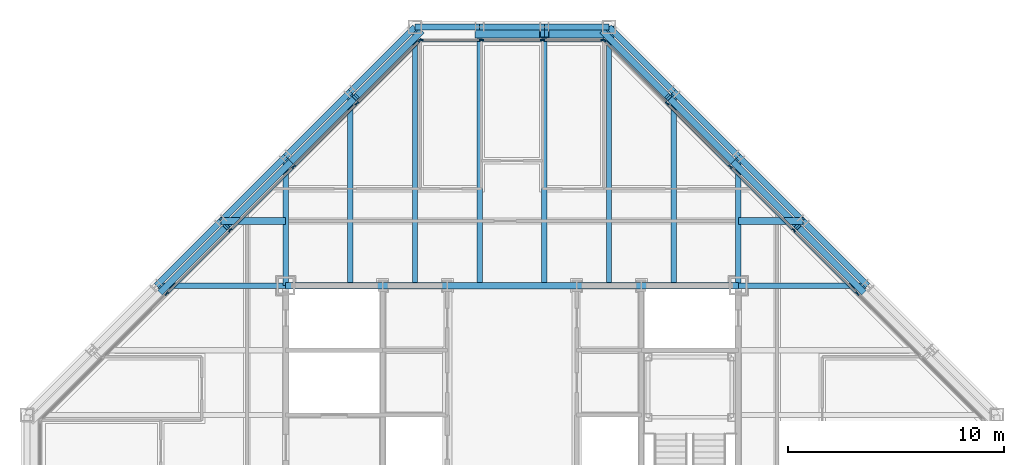
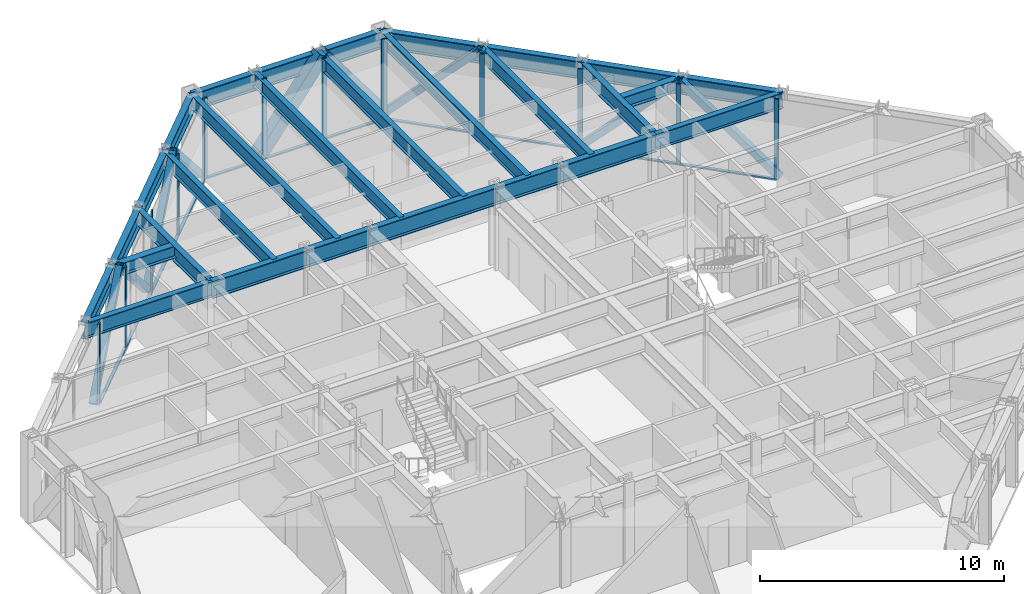
# One storey, part 8 of 15: 35 members, 28 beams, 3 elements without a shape of their own.
"""IFC4 building model written with IfcOpenShell, lengths in metres."""

import ifcopenshell
import ifcopenshell.guid

model = None  # the IFC model being written
_history = None  # IfcOwnerHistory: only IFC2X3 demands one
_inside = {}  # id of a spatial element -> (the spatial element, [elements in it])
_under = {}  # id of a project, library or spatial element -> (it, [spatial elements below it])
_declared = {}  # id of a project -> (the project, [libraries it declares])
_typed = {}  # id of a type object -> (the type object, [elements of that type])
_made_of = {}  # id of a material, layer set ... -> (it, [elements and type objects made of it])


def new_model(schema):
    """Start an empty IFC model of exactly this schema.

    Asked for "IFC4X3", IfcOpenShell would pick the latest addendum, in which some entities
    have other attributes; the version numbers below select the first issue.
    IFC2X3 requires an IfcOwnerHistory on every rooted entity: one is made here for all.
    """
    global model, _history
    if schema == "IFC4X3":
        model = ifcopenshell.file(schema_version=(4, 3, 0, 0))
    else:
        model = ifcopenshell.file(schema=schema)
    _inside.clear()
    _under.clear()
    _declared.clear()
    _typed.clear()
    _made_of.clear()
    _history = None
    if model.schema == "IFC2X3":
        org = make("IfcOrganization", Name="unknown")
        user = make(
            "IfcPersonAndOrganization",
            ThePerson=make("IfcPerson", FamilyName="unknown"),
            TheOrganization=org,
        )
        app = make(
            "IfcApplication",
            ApplicationDeveloper=org,
            Version="unknown",
            ApplicationFullName="unknown",
            ApplicationIdentifier="unknown",
        )
        _history = make(
            "IfcOwnerHistory",
            OwningUser=user,
            OwningApplication=app,
            ChangeAction="ADDED",
            CreationDate=0,
        )
    return model


def make(cls, **values):
    """One entity of the class cls with the attributes given. An attribute that is None is left unset."""
    return model.create_entity(
        cls, **{name: value for name, value in values.items() if value is not None}
    )


def rooted(cls, **values):
    """An entity with a GlobalId (a new one), such as an element, a storey or a relation."""
    return make(cls, GlobalId=ifcopenshell.guid.new(), OwnerHistory=_history, **values)


def si_unit(unit_type, name, prefix=None):
    """IfcSIUnit, for example si_unit("LENGTHUNIT", "METRE", prefix="MILLI")."""
    return make("IfcSIUnit", UnitType=unit_type, Prefix=prefix, Name=name)


def assignment(units):
    """IfcUnitAssignment: the units of a project."""
    return None if units is None else make("IfcUnitAssignment", Units=units)


def point(xyz):
    """IfcCartesianPoint."""
    return None if xyz is None else make("IfcCartesianPoint", Coordinates=xyz)


def direction(xyz):
    """IfcDirection."""
    return None if xyz is None else make("IfcDirection", DirectionRatios=xyz)


def frame(location, z_axis=None, x_axis=None):
    """IfcAxis2Placement3D, a coordinate frame: its origin and axes. An axis left out is left unset."""
    return make(
        "IfcAxis2Placement3D",
        Location=point(location),
        Axis=direction(z_axis),
        RefDirection=direction(x_axis),
    )


def frame_2d(location, x_axis=None):
    """IfcAxis2Placement2D, a coordinate frame in the plane: its origin and x axis."""
    return make(
        "IfcAxis2Placement2D", Location=point(location), RefDirection=direction(x_axis)
    )


def origin():
    """The frame at (0, 0, 0) with its axes left unset."""
    return frame((0.0, 0.0, 0.0))


def origin_2d():
    """The frame at (0, 0) in the plane with its x axis left unset."""
    return frame_2d((0.0, 0.0))


def place(relative_to, where):
    """IfcLocalPlacement: puts the frame where relative to a parent placement (None: the world)."""
    return make(
        "IfcLocalPlacement", PlacementRelTo=relative_to, RelativePlacement=where
    )


def context(
    kind, dimensions, precision=None, world=None, true_north=None, identifier=None
):
    """IfcGeometricRepresentationContext, for example the 3D "Model" context."""
    return make(
        "IfcGeometricRepresentationContext",
        ContextIdentifier=identifier,
        ContextType=kind,
        CoordinateSpaceDimension=dimensions,
        Precision=precision,
        WorldCoordinateSystem=world,
        TrueNorth=true_north,
    )


def subcontext(parent, identifier, kind, view, scale=None):
    """IfcGeometricRepresentationSubContext, for example "Body" below "Model"."""
    return make(
        "IfcGeometricRepresentationSubContext",
        ContextIdentifier=identifier,
        ContextType=kind,
        ParentContext=parent,
        TargetScale=scale,
        TargetView=view,
    )


def project(units=None, contexts=None):
    """IfcProject with its units and contexts."""
    return rooted(
        "IfcProject",
        Name="project",
        RepresentationContexts=contexts,
        UnitsInContext=assignment(units),
    )


def spatial(cls, under=None, at=None, **own):
    """A site, building, storey or space (cls), placed at a placement, below another one or the project."""
    s = rooted(cls, ObjectPlacement=at, **own)
    if under is not None:
        _under.setdefault(under.id(), (under, []))[1].append(s)
    return s


def profile(cls, at=None, kind="AREA", **sizes):
    """A parametric profile (cls). Its sizes go by their IFC names, for example OverallWidth=200.0."""
    return make(cls, ProfileType=kind, Position=at, **sizes)


def rectangle(**sizes):
    """IfcRectangleProfileDef."""
    return profile("IfcRectangleProfileDef", **sizes)


def hollow_rectangle(**sizes):
    """IfcRectangleHollowProfileDef."""
    return profile("IfcRectangleHollowProfileDef", **sizes)


def i_section(**sizes):
    """IfcIShapeProfileDef."""
    return profile("IfcIShapeProfileDef", **sizes)


def extrude(swept, where, along, depth):
    """IfcExtrudedAreaSolid: the profile swept, set in the frame where, extruded along a direction by depth."""
    return make(
        "IfcExtrudedAreaSolid",
        SweptArea=swept,
        Position=where,
        ExtrudedDirection=direction(along),
        Depth=depth,
    )


def shape(context_of_items, identifier, shape_type, items):
    """IfcShapeRepresentation: the items that make up one representation, for example the "Body"."""
    return make(
        "IfcShapeRepresentation",
        ContextOfItems=context_of_items,
        RepresentationIdentifier=identifier,
        RepresentationType=shape_type,
        Items=items,
    )


def material(Name=None, Category=None):
    """IfcMaterial."""
    return make("IfcMaterial", Name=Name, Category=Category)


def layer(
    of_material, thickness, ventilated=None, Name=None, Category=None, Priority=None
):
    """IfcMaterialLayer: one layer of a wall or slab, of a material (None: an air gap)."""
    return make(
        "IfcMaterialLayer",
        Material=of_material,
        LayerThickness=thickness,
        IsVentilated=ventilated,
        Name=Name,
        Category=Category,
        Priority=Priority,
    )


def layer_set(layers, Name=None):
    """IfcMaterialLayerSet."""
    return make("IfcMaterialLayerSet", MaterialLayers=layers, LayerSetName=Name)


def material_profile(
    of_material, cross_section, Name=None, Category=None, Priority=None
):
    """IfcMaterialProfile: a cross section and its material."""
    return make(
        "IfcMaterialProfile",
        Name=Name,
        Material=of_material,
        Profile=cross_section,
        Priority=Priority,
        Category=Category,
    )


def profile_set(profiles, Name=None, composite=None):
    """IfcMaterialProfileSet."""
    return make(
        "IfcMaterialProfileSet",
        Name=Name,
        MaterialProfiles=profiles,
        CompositeProfile=composite,
    )


def made_of(thing, what):
    """Note that an element or type object is made of a material, layer set ...; save() writes the relation."""
    if what is not None:
        _made_of.setdefault(what.id(), (what, []))[1].append(thing)
    return thing


def type_object(cls, material=None, **own):
    """A type object (cls), such as IfcWallType, which elements share."""
    return made_of(rooted(cls, **own), material)


def element(
    cls,
    number,
    at=None,
    inside=None,
    cuts=None,
    type_object=None,
    material=None,
    context=None,
    identifier="Body",
    shape_type=None,
    held_by="IfcProductDefinitionShape",
    body=None,
    shapes=None,
    **own,
):
    """One element of the class cls, such as IfcWall. Its Tag is "e" and its number.

    at: its placement. inside: the storey or other place that contains it. cuts: it is an
    opening in that element (IfcRelVoidsElement). A single representation is given by context,
    identifier, shape_type and body (its items); several are given by shapes. held_by: the class
    of the entity that holds the representations. save() writes the other relations.
    """
    e = rooted(cls, Tag="e%d" % number, ObjectPlacement=at, **own)
    if body is not None:
        shapes = [shape(context, identifier, shape_type, body)]
    if shapes is not None:
        e.Representation = make(held_by, Representations=shapes)
    if inside is not None:
        _inside.setdefault(inside.id(), (inside, []))[1].append(e)
    if cuts is not None:
        rooted(
            "IfcRelVoidsElement", RelatingBuildingElement=cuts, RelatedOpeningElement=e
        )
    if type_object is not None:
        _typed.setdefault(type_object.id(), (type_object, []))[1].append(e)
    return made_of(e, material)


def aggregate(whole, parts):
    """IfcRelAggregates: a whole, such as a stair, and the parts it consists of."""
    return rooted("IfcRelAggregates", RelatingObject=whole, RelatedObjects=parts)


def save(model, path):
    """Write the relations noted so far, then the file.

    IfcRelAggregates (storeys below a building ...), IfcRelContainedInSpatialStructure (elements
    in a storey), IfcRelDefinesByType, IfcRelAssociatesMaterial and IfcRelDeclares: one each for
    every whole, place, type object, material and project.
    """
    for whole, parts in _under.values():
        aggregate(whole, parts)
    for where, things in _inside.values():
        rooted(
            "IfcRelContainedInSpatialStructure",
            RelatedElements=things,
            RelatingStructure=where,
        )
    for kind, things in _typed.values():
        rooted("IfcRelDefinesByType", RelatedObjects=things, RelatingType=kind)
    for what, things in _made_of.values():
        rooted("IfcRelAssociatesMaterial", RelatedObjects=things, RelatingMaterial=what)
    for by, libraries in _declared.values():
        rooted("IfcRelDeclares", RelatingContext=by, RelatedDefinitions=libraries)
    model.write(path)


model = new_model("IFC4")

# Units and contexts
model_context = context("Model", 3, precision=1e-05, world=origin(), true_north=direction((0.0, 1.0)))
body_context = subcontext(model_context, "Body", "Model", "MODEL_VIEW")
ifc_project = project(units=[si_unit("LENGTHUNIT", "METRE"), si_unit("AREAUNIT", "SQUARE_METRE"), si_unit("VOLUMEUNIT", "CUBIC_METRE"), si_unit("PLANEANGLEUNIT", "RADIAN"), si_unit("MASSUNIT", "GRAM", prefix="KILO")], contexts=[model_context])

# Site, building, storey
site_placement = place(None, origin())
site = spatial("IfcSite", under=ifc_project, at=site_placement, CompositionType="ELEMENT")
building_placement = place(site_placement, origin())
building = spatial("IfcBuilding", under=site, at=building_placement, Name="Chuquiago Exchange Tower", CompositionType="ELEMENT")
storey_placement = place(building_placement, frame((0.0, 0.0, 266.39990234375)))
storey = spatial("IfcBuildingStorey", under=building, at=storey_placement, Name="L59", CompositionType="ELEMENT", Elevation=266.39990234375)

# Beams
ifc_material_1 = material(Name="Steel ASTM A992", Category="steel")
ifc_material_profile_1 = material_profile(ifc_material_1, i_section(OverallWidth=0.25390625, OverallDepth=0.683349609375, WebThickness=0.012451171875, FlangeThickness=0.018798828125, at=origin_2d()), Name="W27X94")
ifc_profile_set_1 = profile_set([ifc_material_profile_1], Name="Steel ASTM A992")
beam_type_1 = type_object("IfcBeamType", Name="B1 W27X94", PredefinedType="BEAM", material=ifc_profile_set_1)
beam_1_placement = place(storey_placement, frame((15.0, 33.0, 3.698486328125), z_axis=(0.0, 1.0, 0.0), x_axis=(-1.0, 0.0, 0.0)))
element("IfcBeam", 1, at=beam_1_placement, inside=storey, type_object=beam_type_1, Name="FB-L60-infill-15_33-15_42-0", PredefinedType="BEAM", context=body_context, shape_type="SweptSolid", body=[
    extrude(i_section(OverallWidth=0.25390625, OverallDepth=0.683349609375, WebThickness=0.012451171875, FlangeThickness=0.018798828125, at=origin_2d()), origin(), (0.0, 0.0, 1.0), 9.0),
])
for number, where, z_axis, x_axis, name in (
    (2, (18.0, 33.0, 3.698486328125), (0.0, 1.0, 0.0), (-1.0, 0.0, 0.0), "FB-L60-infill-18_33-18_45-0"),
    (3, (21.0, 33.0, 3.698486328125), (0.0, 1.0, 0.0), (-1.0, 0.0, 0.0), "FB-L60-infill-21_33-21_45-0"),
    (4, (24.0, 33.0, 3.698486328125), (0.0, 1.0, 0.0), (-1.0, 0.0, 0.0), "FB-L60-infill-24_33-24_45-0"),
    (5, (27.0, 33.0, 3.698486328125), (0.0, 1.0, 0.0), (-1.0, 0.0, 0.0), "FB-L60-infill-27_33-27_45-0"),
):
    element("IfcBeam", number, at=place(storey_placement, frame(where, z_axis=z_axis, x_axis=x_axis)), inside=storey, type_object=beam_type_1, Name=name, PredefinedType="BEAM", context=body_context, shape_type="SweptSolid", body=[
        extrude(i_section(OverallWidth=0.25390625, OverallDepth=0.683349609375, WebThickness=0.012451171875, FlangeThickness=0.018798828125, at=origin_2d()), origin(), (0.0, 0.0, 1.0), 12.0),
    ])
beam_2_placement = place(storey_placement, frame((30.0, 33.0, 3.698486328125), z_axis=(0.0, 1.0, 0.0), x_axis=(-1.0, 0.0, 0.0)))
element("IfcBeam", 6, at=beam_2_placement, inside=storey, type_object=beam_type_1, Name="FB-L60-infill-30_33-30_42-0", PredefinedType="BEAM", context=body_context, shape_type="SweptSolid", body=[
    extrude(i_section(OverallWidth=0.25390625, OverallDepth=0.683349609375, WebThickness=0.012451171875, FlangeThickness=0.018798828125, at=origin_2d()), origin(), (0.0, 0.0, 1.0), 9.0),
])
ifc_material_2 = material(Name="Steel ASTM A992", Category="steel")
ifc_material_profile_2 = material_profile(ifc_material_2, i_section(OverallWidth=0.3251953125, OverallDepth=0.612060546875, WebThickness=0.0126953125, FlangeThickness=0.01904296875, at=origin_2d()), Name="W24X104")
ifc_profile_set_2 = profile_set([ifc_material_profile_2], Name="Steel ASTM A992")
beam_type_2 = type_object("IfcBeamType", Name="B2 W24X104", PredefinedType="BEAM", material=ifc_profile_set_2)
for number, where, z_axis, x_axis, name in (
    (7, (12.0, 36.0, 3.73388671875), (-1.0, 0.0, 0.0), (0.0, -1.0, 0.0), "FB-L60-corner-12_36-9_36-0"),
    (8, (33.0, 36.0, 3.73388671875), (1.0, 0.0, 0.0), (0.0, 1.0, 0.0), "FB-L60-corner-33_36-36_36-0"),
):
    element("IfcBeam", number, at=place(storey_placement, frame(where, z_axis=z_axis, x_axis=x_axis)), inside=storey, type_object=beam_type_2, Name=name, PredefinedType="BEAM", context=body_context, shape_type="SweptSolid", body=[
        extrude(i_section(OverallWidth=0.3251953125, OverallDepth=0.612060546875, WebThickness=0.0126953125, FlangeThickness=0.01904296875, at=origin_2d()), origin(), (0.0, 0.0, 1.0), 3.0),
    ])
ifc_material_3 = material(Name="Steel ASTM A992", Category="steel")
ifc_material_profile_3 = material_profile(ifc_material_3, i_section(OverallWidth=0.2919921875, OverallDepth=0.8583984375, WebThickness=0.01708984375, FlangeThickness=0.031005859375, at=origin_2d()), Name="W33X169")
ifc_profile_set_3 = profile_set([ifc_material_profile_3], Name="Steel ASTM A992")
beam_type_3 = type_object("IfcBeamType", Name="B3 W33X169", PredefinedType="BEAM", material=ifc_profile_set_3)
beam_3_placement = place(storey_placement, frame((12.0, 33.0, 3.61083984375), z_axis=(1.0, 0.0, 0.0), x_axis=(0.0, 1.0, 0.0)))
element("IfcBeam", 9, at=beam_3_placement, inside=storey, type_object=beam_type_3, Name="CB-L60-12_33-16.5_33", PredefinedType="BEAM", context=body_context, shape_type="SweptSolid", body=[
    extrude(i_section(OverallWidth=0.2919921875, OverallDepth=0.8583984375, WebThickness=0.01708984375, FlangeThickness=0.031005859375, at=origin_2d()), origin(), (0.0, 0.0, 1.0), 4.5),
])
beam_4_placement = place(storey_placement, frame((16.5, 33.0, 3.61083984375), z_axis=(1.0, 0.0, 0.0), x_axis=(0.0, 1.0, 0.0)))
element("IfcBeam", 10, at=beam_4_placement, inside=storey, type_object=beam_type_3, Name="CB-L60-16.5_33-19.5_33", PredefinedType="BEAM", context=body_context, shape_type="SweptSolid", body=[
    extrude(i_section(OverallWidth=0.2919921875, OverallDepth=0.8583984375, WebThickness=0.01708984375, FlangeThickness=0.031005859375, at=origin_2d()), origin(), (0.0, 0.0, 1.0), 3.0),
])
beam_5_placement = place(storey_placement, frame((19.5, 33.0, 3.61083984375), z_axis=(1.0, 0.0, 0.0), x_axis=(0.0, 1.0, 0.0)))
element("IfcBeam", 11, at=beam_5_placement, inside=storey, type_object=beam_type_3, Name="CB-L60-19.5_33-25.5_33", PredefinedType="BEAM", context=body_context, shape_type="SweptSolid", body=[
    extrude(i_section(OverallWidth=0.2919921875, OverallDepth=0.8583984375, WebThickness=0.01708984375, FlangeThickness=0.031005859375, at=origin_2d()), origin(), (0.0, 0.0, 1.0), 6.0),
])
beam_6_placement = place(storey_placement, frame((25.5, 33.0, 3.61083984375), z_axis=(1.0, 0.0, 0.0), x_axis=(0.0, 1.0, 0.0)))
element("IfcBeam", 12, at=beam_6_placement, inside=storey, type_object=beam_type_3, Name="CB-L60-25.5_33-28.5_33", PredefinedType="BEAM", context=body_context, shape_type="SweptSolid", body=[
    extrude(i_section(OverallWidth=0.2919921875, OverallDepth=0.8583984375, WebThickness=0.01708984375, FlangeThickness=0.031005859375, at=origin_2d()), origin(), (0.0, 0.0, 1.0), 3.0),
])
beam_7_placement = place(storey_placement, frame((28.5, 33.0, 3.61083984375), z_axis=(1.0, 0.0, 0.0), x_axis=(0.0, 1.0, 0.0)))
element("IfcBeam", 13, at=beam_7_placement, inside=storey, type_object=beam_type_3, Name="CB-L60-28.5_33-33_33", PredefinedType="BEAM", context=body_context, shape_type="SweptSolid", body=[
    extrude(i_section(OverallWidth=0.2919921875, OverallDepth=0.8583984375, WebThickness=0.01708984375, FlangeThickness=0.031005859375, at=origin_2d()), origin(), (0.0, 0.0, 1.0), 4.5),
])

# Curtain wall, members
ifc_material_4 = material(Name="Aluminium curtain wall system", Category="aluminium")
ifc_layer_1 = layer(ifc_material_4, 0.22509765625)
ifc_layer_set_1 = layer_set([ifc_layer_1], Name="CW2 office curtain wall")
curtain_wall_type_1 = type_object("IfcCurtainWallType", Name="CW2 office curtain wall", PredefinedType="NOTDEFINED", material=ifc_layer_set_1)
curtain_wall_1_placement = place(storey_placement, origin())
curtain_wall_1 = element("IfcCurtainWall", 14, at=curtain_wall_1_placement, inside=storey, type_object=curtain_wall_type_1, Name="CW2 curtain wall L59", PredefinedType="NOTDEFINED")
ifc_material_5 = material(Name="Aluminium mullion, pale anodised", Category="aluminium")
ifc_material_profile_4 = material_profile(ifc_material_5, rectangle(XDim=0.06494140625, YDim=0.22509765625, at=origin_2d()), Name="AL 65x225")
ifc_profile_set_4 = profile_set([ifc_material_profile_4], Name="Aluminium mullion, pale anodised")
member_type_1 = type_object("IfcMemberType", Name="CW2-M mullion 65x225", PredefinedType="MULLION", material=ifc_profile_set_4)
member_1_placement = place(storey_placement, frame((26.718994140625, 44.39990234375, 0.0), z_axis=(0.0, 0.0, 1.0), x_axis=(0.0, -1.0, 0.0)))
member_1 = element("IfcMember", 15, at=member_1_placement, type_object=member_type_1, Name="CW2 mullion 1", PredefinedType="MULLION", context=body_context, shape_type="SweptSolid", body=[
    extrude(rectangle(XDim=0.06494140625, YDim=0.22509765625, at=origin_2d()), origin(), (0.0, 0.0, 1.0), 4.0400390625),
])
member_2_placement = place(storey_placement, frame((23.917236328125, 44.39990234375, 0.0), z_axis=(0.0, 0.0, 1.0), x_axis=(0.0, -1.0, 0.0)))
member_2 = element("IfcMember", 16, at=member_2_placement, type_object=member_type_1, Name="CW2 mullion 2", PredefinedType="MULLION", context=body_context, shape_type="SweptSolid", body=[
    extrude(rectangle(XDim=0.06494140625, YDim=0.22509765625, at=origin_2d()), origin(), (0.0, 0.0, 1.0), 4.0400390625),
])
member_3_placement = place(storey_placement, frame((21.082763671875, 44.39990234375, 0.0), z_axis=(0.0, 0.0, 1.0), x_axis=(0.0, -1.0, 0.0)))
member_3 = element("IfcMember", 17, at=member_3_placement, type_object=member_type_1, Name="CW2 mullion 3", PredefinedType="MULLION", context=body_context, shape_type="SweptSolid", body=[
    extrude(rectangle(XDim=0.06494140625, YDim=0.22509765625, at=origin_2d()), origin(), (0.0, 0.0, 1.0), 4.0400390625),
])
member_4_placement = place(storey_placement, frame((18.281005859375, 44.39990234375, 0.0), z_axis=(0.0, 0.0, 1.0), x_axis=(0.0, -1.0, 0.0)))
member_4 = element("IfcMember", 18, at=member_4_placement, type_object=member_type_1, Name="CW2 mullion 4", PredefinedType="MULLION", context=body_context, shape_type="SweptSolid", body=[
    extrude(rectangle(XDim=0.06494140625, YDim=0.22509765625, at=origin_2d()), origin(), (0.0, 0.0, 1.0), 4.0400390625),
])
ifc_material_6 = material(Name="Aluminium transom, pale anodised", Category="aluminium")
ifc_material_profile_5 = material_profile(ifc_material_6, rectangle(XDim=0.139892578125, YDim=0.06494140625, at=origin_2d()), Name="AL 140x65")
ifc_profile_set_5 = profile_set([ifc_material_profile_5], Name="Aluminium transom, pale anodised")
member_type_2 = type_object("IfcMemberType", Name="CW2-T transom 65x140", PredefinedType="MULLION", material=ifc_profile_set_5)
member_5_placement = place(storey_placement, frame((26.6865234375, 44.39990234375, 0.03271484375), z_axis=(-1.0, 0.0, 0.0), x_axis=(0.0, -1.0, 0.0)))
member_5 = element("IfcMember", 19, at=member_5_placement, type_object=member_type_2, Name="CW2 transom 1.1", PredefinedType="MULLION", context=body_context, shape_type="SweptSolid", body=[
    extrude(rectangle(XDim=0.139892578125, YDim=0.06494140625, at=origin_2d()), origin(), (0.0, 0.0, 1.0), 2.73681640625),
])
member_6_placement = place(storey_placement, frame((23.884765625, 44.39990234375, 0.03271484375), z_axis=(-1.0, 0.0, 0.0), x_axis=(0.0, -1.0, 0.0)))
member_6 = element("IfcMember", 20, at=member_6_placement, type_object=member_type_2, Name="CW2 transom 2.1", PredefinedType="MULLION", context=body_context, shape_type="SweptSolid", body=[
    extrude(rectangle(XDim=0.139892578125, YDim=0.06494140625, at=origin_2d()), origin(), (0.0, 0.0, 1.0), 2.76953125),
])
member_7_placement = place(storey_placement, frame((21.05029296875, 44.39990234375, 0.03271484375), z_axis=(-1.0, 0.0, 0.0), x_axis=(0.0, -1.0, 0.0)))
member_7 = element("IfcMember", 21, at=member_7_placement, type_object=member_type_2, Name="CW2 transom 3.1", PredefinedType="MULLION", context=body_context, shape_type="SweptSolid", body=[
    extrude(rectangle(XDim=0.139892578125, YDim=0.06494140625, at=origin_2d()), origin(), (0.0, 0.0, 1.0), 2.73681640625),
])
aggregate(curtain_wall_1, [member_1, member_2, member_3, member_4, member_5, member_6, member_7])

ifc_material_7 = material(Name="Aluminium curtain wall system", Category="aluminium")
ifc_layer_2 = layer(ifc_material_7, 0.199951171875)
ifc_layer_set_2 = layer_set([ifc_layer_2], Name="CW3 facet curtain wall")
curtain_wall_type_2 = type_object("IfcCurtainWallType", Name="CW3 facet curtain wall", PredefinedType="NOTDEFINED", material=ifc_layer_set_2)
curtain_wall_2_placement = place(storey_placement, origin())
curtain_wall_2 = element("IfcCurtainWall", 22, at=curtain_wall_2_placement, inside=storey, type_object=curtain_wall_type_2, Name="CW3 curtain wall L59", PredefinedType="NOTDEFINED")
ifc_material_8 = material(Name="Aluminium mullion, pale anodised", Category="aluminium")
ifc_material_profile_6 = material_profile(ifc_material_8, rectangle(XDim=0.06494140625, YDim=0.199951171875, at=origin_2d()), Name="AL 65x200")
ifc_profile_set_6 = profile_set([ifc_material_profile_6], Name="Aluminium mullion, pale anodised")
member_type_3 = type_object("IfcMemberType", Name="CW3-M mullion 65x200", PredefinedType="MULLION", material=ifc_profile_set_6)
member_8_placement = place(storey_placement, frame((38.51708984375, 32.63427734375, 0.0), z_axis=(0.0, 0.0, 1.0), x_axis=(-0.707106781187, -0.707106781187, 0.0)))
member_8 = element("IfcMember", 23, at=member_8_placement, type_object=member_type_3, Name="CW3 mullion 3", PredefinedType="MULLION", context=body_context, shape_type="SweptSolid", body=[
    extrude(rectangle(XDim=0.06494140625, YDim=0.199951171875, at=origin_2d()), origin(), (0.0, 0.0, 1.0), 4.0400390625),
])
member_9_placement = place(storey_placement, frame((35.57568359375, 35.57568359375, 0.0), z_axis=(0.0, 0.0, 1.0), x_axis=(-0.707106781187, -0.707106781187, 0.0)))
member_9 = element("IfcMember", 24, at=member_9_placement, type_object=member_type_3, Name="CW3 mullion 4", PredefinedType="MULLION", context=body_context, shape_type="SweptSolid", body=[
    extrude(rectangle(XDim=0.06494140625, YDim=0.199951171875, at=origin_2d()), origin(), (0.0, 0.0, 1.0), 4.0400390625),
])
member_10_placement = place(storey_placement, frame((32.63427734375, 38.51708984375, 0.0), z_axis=(0.0, 0.0, 1.0), x_axis=(-0.707106781187, -0.707106781187, 0.0)))
member_10 = element("IfcMember", 25, at=member_10_placement, type_object=member_type_3, Name="CW3 mullion 5", PredefinedType="MULLION", context=body_context, shape_type="SweptSolid", body=[
    extrude(rectangle(XDim=0.06494140625, YDim=0.199951171875, at=origin_2d()), origin(), (0.0, 0.0, 1.0), 4.0400390625),
])
member_11_placement = place(storey_placement, frame((29.69287109375, 41.45849609375, 0.0), z_axis=(0.0, 0.0, 1.0), x_axis=(-0.707106781187, -0.707106781187, 0.0)))
member_11 = element("IfcMember", 26, at=member_11_placement, type_object=member_type_3, Name="CW3 mullion 6", PredefinedType="MULLION", context=body_context, shape_type="SweptSolid", body=[
    extrude(rectangle(XDim=0.06494140625, YDim=0.199951171875, at=origin_2d()), origin(), (0.0, 0.0, 1.0), 4.0400390625),
])
member_12_placement = place(storey_placement, frame((26.7744140625, 44.376953125, 0.0), z_axis=(0.0, 0.0, 1.0), x_axis=(-0.707106781187, -0.707106781187, 0.0)))
member_12 = element("IfcMember", 27, at=member_12_placement, type_object=member_type_3, Name="CW3 mullion 7", PredefinedType="MULLION", context=body_context, shape_type="SweptSolid", body=[
    extrude(rectangle(XDim=0.06494140625, YDim=0.199951171875, at=origin_2d()), origin(), (0.0, 0.0, 1.0), 4.0400390625),
])

curtain_wall_3_placement = place(storey_placement, origin())
curtain_wall_3 = element("IfcCurtainWall", 28, at=curtain_wall_3_placement, inside=storey, type_object=curtain_wall_type_2, Name="CW3 curtain wall L59", PredefinedType="NOTDEFINED")
member_13_placement = place(storey_placement, frame((18.2255859375, 44.376953125, 0.0), z_axis=(0.0, 0.0, 1.0), x_axis=(0.707106781187, -0.707106781187, 0.0)))
member_13 = element("IfcMember", 29, at=member_13_placement, type_object=member_type_3, Name="CW3 mullion 1", PredefinedType="MULLION", context=body_context, shape_type="SweptSolid", body=[
    extrude(rectangle(XDim=0.06494140625, YDim=0.199951171875, at=origin_2d()), origin(), (0.0, 0.0, 1.0), 4.0400390625),
])
member_14_placement = place(storey_placement, frame((15.30712890625, 41.45849609375, 0.0), z_axis=(0.0, 0.0, 1.0), x_axis=(0.707106781187, -0.707106781187, 0.0)))
member_14 = element("IfcMember", 30, at=member_14_placement, type_object=member_type_3, Name="CW3 mullion 2", PredefinedType="MULLION", context=body_context, shape_type="SweptSolid", body=[
    extrude(rectangle(XDim=0.06494140625, YDim=0.199951171875, at=origin_2d()), origin(), (0.0, 0.0, 1.0), 4.0400390625),
])
member_15_placement = place(storey_placement, frame((12.36572265625, 38.51708984375, 0.0), z_axis=(0.0, 0.0, 1.0), x_axis=(0.707106781187, -0.707106781187, 0.0)))
member_15 = element("IfcMember", 31, at=member_15_placement, type_object=member_type_3, Name="CW3 mullion 3", PredefinedType="MULLION", context=body_context, shape_type="SweptSolid", body=[
    extrude(rectangle(XDim=0.06494140625, YDim=0.199951171875, at=origin_2d()), origin(), (0.0, 0.0, 1.0), 4.0400390625),
])
member_16_placement = place(storey_placement, frame((9.42431640625, 35.57568359375, 0.0), z_axis=(0.0, 0.0, 1.0), x_axis=(0.707106781187, -0.707106781187, 0.0)))
member_16 = element("IfcMember", 32, at=member_16_placement, type_object=member_type_3, Name="CW3 mullion 4", PredefinedType="MULLION", context=body_context, shape_type="SweptSolid", body=[
    extrude(rectangle(XDim=0.06494140625, YDim=0.199951171875, at=origin_2d()), origin(), (0.0, 0.0, 1.0), 4.0400390625),
])
member_17_placement = place(storey_placement, frame((6.48291015625, 32.63427734375, 0.0), z_axis=(0.0, 0.0, 1.0), x_axis=(0.707106781187, -0.707106781187, 0.0)))
member_17 = element("IfcMember", 33, at=member_17_placement, type_object=member_type_3, Name="CW3 mullion 5", PredefinedType="MULLION", context=body_context, shape_type="SweptSolid", body=[
    extrude(rectangle(XDim=0.06494140625, YDim=0.199951171875, at=origin_2d()), origin(), (0.0, 0.0, 1.0), 4.0400390625),
])

# Member
ifc_material_9 = material(Name="Aluminium transom, pale anodised", Category="aluminium")
ifc_material_profile_7 = material_profile(ifc_material_9, rectangle(XDim=0.139892578125, YDim=0.06494140625, at=origin_2d()), Name="AL 140x65")
ifc_profile_set_7 = profile_set([ifc_material_profile_7], Name="Aluminium transom, pale anodised")
member_type_4 = type_object("IfcMemberType", Name="CW3-T transom 65x140", PredefinedType="MULLION", material=ifc_profile_set_7)
member_18_placement = place(storey_placement, frame((38.494140625, 32.6572265625, 0.03271484375), z_axis=(-0.707106781187, 0.707106781187, 0.0), x_axis=(-0.707106781187, -0.707106781187, 0.0)))
member_18 = element("IfcMember", 34, at=member_18_placement, type_object=member_type_4, Name="CW3 transom 3.1", PredefinedType="MULLION", context=body_context, shape_type="SweptSolid", body=[
    extrude(rectangle(XDim=0.139892578125, YDim=0.06494140625, at=origin_2d()), origin(), (0.0, 0.0, 1.0), 4.094970703125),
])

member_19_placement = place(storey_placement, frame((35.552734375, 35.5986328125, 0.03271484375), z_axis=(-0.707106781187, 0.707106781187, 0.0), x_axis=(-0.707106781187, -0.707106781187, 0.0)))
member_19 = element("IfcMember", 35, at=member_19_placement, type_object=member_type_4, Name="CW3 transom 4.1", PredefinedType="MULLION", context=body_context, shape_type="SweptSolid", body=[
    extrude(rectangle(XDim=0.139892578125, YDim=0.06494140625, at=origin_2d()), origin(), (0.0, 0.0, 1.0), 4.094970703125),
])

member_20_placement = place(storey_placement, frame((32.611328125, 38.5400390625, 0.03271484375), z_axis=(-0.707106781187, 0.707106781187, 0.0), x_axis=(-0.707106781187, -0.707106781187, 0.0)))
member_20 = element("IfcMember", 36, at=member_20_placement, type_object=member_type_4, Name="CW3 transom 5.1", PredefinedType="MULLION", context=body_context, shape_type="SweptSolid", body=[
    extrude(rectangle(XDim=0.139892578125, YDim=0.06494140625, at=origin_2d()), origin(), (0.0, 0.0, 1.0), 4.094970703125),
])

member_21_placement = place(storey_placement, frame((29.669921875, 41.4814453125, 0.03271484375), z_axis=(-0.707106781187, 0.707106781187, 0.0), x_axis=(-0.707106781187, -0.707106781187, 0.0)))
member_21 = element("IfcMember", 37, at=member_21_placement, type_object=member_type_4, Name="CW3 transom 6.1", PredefinedType="MULLION", context=body_context, shape_type="SweptSolid", body=[
    extrude(rectangle(XDim=0.139892578125, YDim=0.06494140625, at=origin_2d()), origin(), (0.0, 0.0, 1.0), 4.0625),
])

aggregate(curtain_wall_2, [member_8, member_9, member_10, member_11, member_12, member_18, member_19, member_20, member_21])

member_22_placement = place(storey_placement, frame((18.20263671875, 44.35400390625, 0.03271484375), z_axis=(-0.707106781187, -0.707106781187, 0.0), x_axis=(0.707106781187, -0.707106781187, 0.0)))
member_22 = element("IfcMember", 38, at=member_22_placement, type_object=member_type_4, Name="CW3 transom 1.1", PredefinedType="MULLION", context=body_context, shape_type="SweptSolid", body=[
    extrude(rectangle(XDim=0.139892578125, YDim=0.06494140625, at=origin_2d()), origin(), (0.0, 0.0, 1.0), 4.0625),
])

member_23_placement = place(storey_placement, frame((15.2841796875, 41.435546875, 0.03271484375), z_axis=(-0.707106781187, -0.707106781187, 0.0), x_axis=(0.707106781187, -0.707106781187, 0.0)))
member_23 = element("IfcMember", 39, at=member_23_placement, type_object=member_type_4, Name="CW3 transom 2.1", PredefinedType="MULLION", context=body_context, shape_type="SweptSolid", body=[
    extrude(rectangle(XDim=0.139892578125, YDim=0.06494140625, at=origin_2d()), origin(), (0.0, 0.0, 1.0), 4.094970703125),
])

member_24_placement = place(storey_placement, frame((12.3427734375, 38.494140625, 0.03271484375), z_axis=(-0.707106781187, -0.707106781187, 0.0), x_axis=(0.707106781187, -0.707106781187, 0.0)))
member_24 = element("IfcMember", 40, at=member_24_placement, type_object=member_type_4, Name="CW3 transom 3.1", PredefinedType="MULLION", context=body_context, shape_type="SweptSolid", body=[
    extrude(rectangle(XDim=0.139892578125, YDim=0.06494140625, at=origin_2d()), origin(), (0.0, 0.0, 1.0), 4.094970703125),
])

member_25_placement = place(storey_placement, frame((9.4013671875, 35.552734375, 0.03271484375), z_axis=(-0.707106781187, -0.707106781187, 0.0), x_axis=(0.707106781187, -0.707106781187, 0.0)))
member_25 = element("IfcMember", 41, at=member_25_placement, type_object=member_type_4, Name="CW3 transom 4.1", PredefinedType="MULLION", context=body_context, shape_type="SweptSolid", body=[
    extrude(rectangle(XDim=0.139892578125, YDim=0.06494140625, at=origin_2d()), origin(), (0.0, 0.0, 1.0), 4.094970703125),
])

aggregate(curtain_wall_3, [member_13, member_14, member_15, member_16, member_17, member_22, member_23, member_24, member_25])

# Beams
ifc_material_10 = material(Name="Steel ASTM A992", Category="steel")
ifc_material_profile_8 = material_profile(ifc_material_10, i_section(OverallWidth=0.2666015625, OverallDepth=0.76953125, WebThickness=0.015625, FlangeThickness=0.025390625, at=origin_2d()), Name="W30X132")
ifc_profile_set_8 = profile_set([ifc_material_profile_8], Name="Steel ASTM A992")
beam_type_4 = type_object("IfcBeamType", Name="G1 W30X132", PredefinedType="BEAM", material=ifc_profile_set_8)
for number, where, z_axis, x_axis, name in (
    (42, (12.0, 33.0, 3.6552734375), (0.0, 1.0, 0.0), (-1.0, 0.0, 0.0), "FB-L60-girder-12_33-12_39-0"),
    (43, (33.0, 33.0, 3.6552734375), (0.0, 1.0, 0.0), (-1.0, 0.0, 0.0), "FB-L60-girder-33_33-33_39-0"),
    (44, (33.0, 33.0, 3.6552734375), (1.0, 0.0, 0.0), (0.0, 1.0, 0.0), "FB-L60-girder-33_33-39_33-0"),
    (45, (12.0, 33.0, 3.6552734375), (-1.0, 0.0, 0.0), (0.0, -1.0, 0.0), "FB-L60-girder-12_33-6_33-0"),
):
    element("IfcBeam", number, at=place(storey_placement, frame(where, z_axis=z_axis, x_axis=x_axis)), inside=storey, type_object=beam_type_4, Name=name, PredefinedType="BEAM", context=body_context, shape_type="SweptSolid", body=[
        extrude(i_section(OverallWidth=0.2666015625, OverallDepth=0.76953125, WebThickness=0.015625, FlangeThickness=0.025390625, at=origin_2d()), origin(), (0.0, 0.0, 1.0), 6.0),
    ])

# Members
ifc_material_11 = material(Name="Steel ASTM A500 Grade C", Category="steel")
ifc_material_profile_9 = material_profile(ifc_material_11, hollow_rectangle(XDim=0.3046875, YDim=0.3046875, WallThickness=0.0146484375, at=origin_2d()), Name="HSS12X12X5/8")
ifc_profile_set_9 = profile_set([ifc_material_profile_9], Name="Steel ASTM A500 Grade C")
member_type_5 = type_object("IfcMemberType", Name="LB3 HSS12X12X5/8", PredefinedType="BRACE", material=ifc_profile_set_9)
for number, where, z_axis, x_axis, name in (
    (46, (38.750732421875, 32.750732421875, 0.0), (-0.512077265487, 0.512077265487, 0.689604051861), (-0.707106781187, -0.707106781187, 0.0), "LB-L59-39_33-36_36"),
    (47, (32.750732421875, 38.750732421875, 0.0), (0.512077265487, -0.512077265487, 0.689604051861), (0.707106781187, 0.707106781187, 0.0), "LB-L59-36_36-33_39"),
    (48, (32.750732421875, 38.750732421875, 0.0), (-0.512077265487, 0.512077265487, 0.689604051861), (-0.707106781187, -0.707106781187, 0.0), "LB-L59-33_39-30_42"),
    (49, (26.750732421875, 44.750732421875, 0.0), (0.512077265487, -0.512077265487, 0.689604051861), (0.707106781187, 0.707106781187, 0.0), "LB-L59-30_42-27_45"),
    (50, (18.249267578125, 44.750732421875, 0.0), (-0.512077265487, -0.512077265487, 0.689604051861), (0.707106781187, -0.707106781187, 0.0), "LB-L59-18_45-15_42"),
    (51, (12.249267578125, 38.750732421875, 0.0), (0.512077265487, 0.512077265487, 0.689604051861), (-0.707106781187, 0.707106781187, 0.0), "LB-L59-15_42-12_39"),
    (52, (12.249267578125, 38.750732421875, 0.0), (-0.512077265487, -0.512077265487, 0.689604051861), (0.707106781187, -0.707106781187, 0.0), "LB-L59-12_39-9_36"),
    (53, (6.249267578125, 32.750732421875, 0.0), (0.512077265487, 0.512077265487, 0.689604051861), (-0.707106781187, 0.707106781187, 0.0), "LB-L59-9_36-6_33"),
):
    element("IfcMember", number, at=place(storey_placement, frame(where, z_axis=z_axis, x_axis=x_axis)), inside=storey, type_object=member_type_5, Name=name, PredefinedType="BRACE", context=body_context, shape_type="SweptSolid", body=[
        extrude(hollow_rectangle(XDim=0.3046875, YDim=0.3046875, WallThickness=0.0146484375, at=origin_2d()), origin(), (0.0, 0.0, 1.0), 5.8583984375),
    ])
ifc_material_12 = material(Name="Steel ASTM A572 Grade 50", Category="steel")
ifc_material_profile_10 = material_profile(ifc_material_12, hollow_rectangle(XDim=0.550048828125, YDim=0.550048828125, WallThickness=0.044921875, at=origin_2d()), Name="BOX550X550X45")
ifc_profile_set_10 = profile_set([ifc_material_profile_10], Name="Steel ASTM A572 Grade 50")
member_type_6 = type_object("IfcMemberType", Name="MB4 BOX550X550X45", PredefinedType="BRACE", material=ifc_profile_set_10)
for number, where, z_axis, x_axis, name in (
    (54, (27.0, 44.77001953125, 0.0), (-0.596173923302, 0.0, 0.802855312728), (0.0, -1.0, 0.0), "Mega diagonal L59 N face"),
    (55, (21.0, 44.77001953125, 0.0), (0.596173923302, 0.0, 0.802855312728), (0.0, 1.0, 0.0), "Mega diagonal L59 N face"),
):
    element("IfcMember", number, at=place(storey_placement, frame(where, z_axis=z_axis, x_axis=x_axis)), inside=storey, type_object=member_type_6, Name=name, PredefinedType="BRACE", context=body_context, shape_type="SweptSolid", body=[
        extrude(hollow_rectangle(XDim=0.550048828125, YDim=0.550048828125, WallThickness=0.044921875, at=origin_2d()), origin(), (0.0, 0.0, 1.0), 5.031982421875),
    ])

# Beams
ifc_material_13 = material(Name="Steel ASTM A992", Category="steel")
ifc_material_profile_11 = material_profile(ifc_material_13, i_section(OverallWidth=0.2919921875, OverallDepth=0.8583984375, WebThickness=0.01708984375, FlangeThickness=0.031005859375, at=origin_2d()), Name="W33X169")
ifc_profile_set_11 = profile_set([ifc_material_profile_11], Name="Steel ASTM A992")
beam_type_5 = type_object("IfcBeamType", Name="SP4 W33X169", PredefinedType="SPANDREL", material=ifc_profile_set_11)
for number, where, z_axis, x_axis, name in (
    (56, (39.0, 33.0, 3.61083984375), (-0.707106781187, 0.707106781187, 0.0), (-0.707106781187, -0.707106781187, 0.0), "SPB-L60-39_33-36_36"),
    (57, (36.0, 36.0, 3.61083984375), (-0.707106781187, 0.707106781187, 0.0), (-0.707106781187, -0.707106781187, 0.0), "SPB-L60-36_36-33_39"),
    (58, (33.0, 39.0, 3.61083984375), (-0.707106781187, 0.707106781187, 0.0), (-0.707106781187, -0.707106781187, 0.0), "SPB-L60-33_39-30_42"),
    (59, (30.0, 42.0, 3.61083984375), (-0.707106781187, 0.707106781187, 0.0), (-0.707106781187, -0.707106781187, 0.0), "SPB-L60-30_42-27_45"),
):
    element("IfcBeam", number, at=place(storey_placement, frame(where, z_axis=z_axis, x_axis=x_axis)), inside=storey, type_object=beam_type_5, Name=name, PredefinedType="SPANDREL", context=body_context, shape_type="SweptSolid", body=[
        extrude(i_section(OverallWidth=0.2919921875, OverallDepth=0.8583984375, WebThickness=0.01708984375, FlangeThickness=0.031005859375, at=origin_2d()), origin(), (0.0, 0.0, 1.0), 4.24267578125),
    ])
for number, where, z_axis, x_axis, name in (
    (60, (27.0, 45.0, 3.61083984375), (-1.0, 0.0, 0.0), (0.0, -1.0, 0.0), "SPB-L60-27_45-24_45"),
    (61, (24.0, 45.0, 3.61083984375), (-1.0, 0.0, 0.0), (0.0, -1.0, 0.0), "SPB-L60-24_45-21_45"),
    (62, (21.0, 45.0, 3.61083984375), (-1.0, 0.0, 0.0), (0.0, -1.0, 0.0), "SPB-L60-21_45-18_45"),
):
    element("IfcBeam", number, at=place(storey_placement, frame(where, z_axis=z_axis, x_axis=x_axis)), inside=storey, type_object=beam_type_5, Name=name, PredefinedType="SPANDREL", context=body_context, shape_type="SweptSolid", body=[
        extrude(i_section(OverallWidth=0.2919921875, OverallDepth=0.8583984375, WebThickness=0.01708984375, FlangeThickness=0.031005859375, at=origin_2d()), origin(), (0.0, 0.0, 1.0), 3.0),
    ])
for number, where, z_axis, x_axis, name in (
    (63, (18.0, 45.0, 3.61083984375), (-0.707106781187, -0.707106781187, 0.0), (0.707106781187, -0.707106781187, 0.0), "SPB-L60-18_45-15_42"),
    (64, (15.0, 42.0, 3.61083984375), (-0.707106781187, -0.707106781187, 0.0), (0.707106781187, -0.707106781187, 0.0), "SPB-L60-15_42-12_39"),
    (65, (12.0, 39.0, 3.61083984375), (-0.707106781187, -0.707106781187, 0.0), (0.707106781187, -0.707106781187, 0.0), "SPB-L60-12_39-9_36"),
    (66, (9.0, 36.0, 3.61083984375), (-0.707106781187, -0.707106781187, 0.0), (0.707106781187, -0.707106781187, 0.0), "SPB-L60-9_36-6_33"),
):
    element("IfcBeam", number, at=place(storey_placement, frame(where, z_axis=z_axis, x_axis=x_axis)), inside=storey, type_object=beam_type_5, Name=name, PredefinedType="SPANDREL", context=body_context, shape_type="SweptSolid", body=[
        extrude(i_section(OverallWidth=0.2919921875, OverallDepth=0.8583984375, WebThickness=0.01708984375, FlangeThickness=0.031005859375, at=origin_2d()), origin(), (0.0, 0.0, 1.0), 4.24267578125),
    ])

save(model, "model.ifc")
